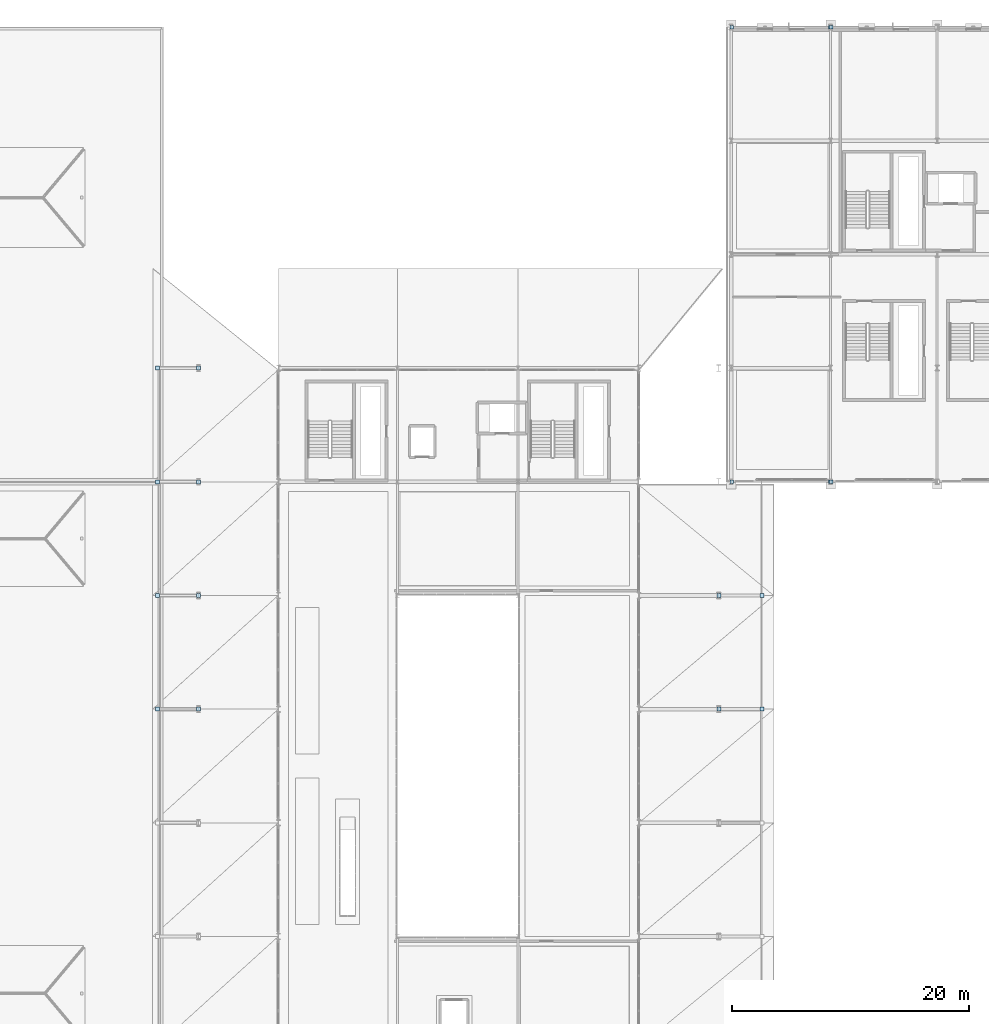
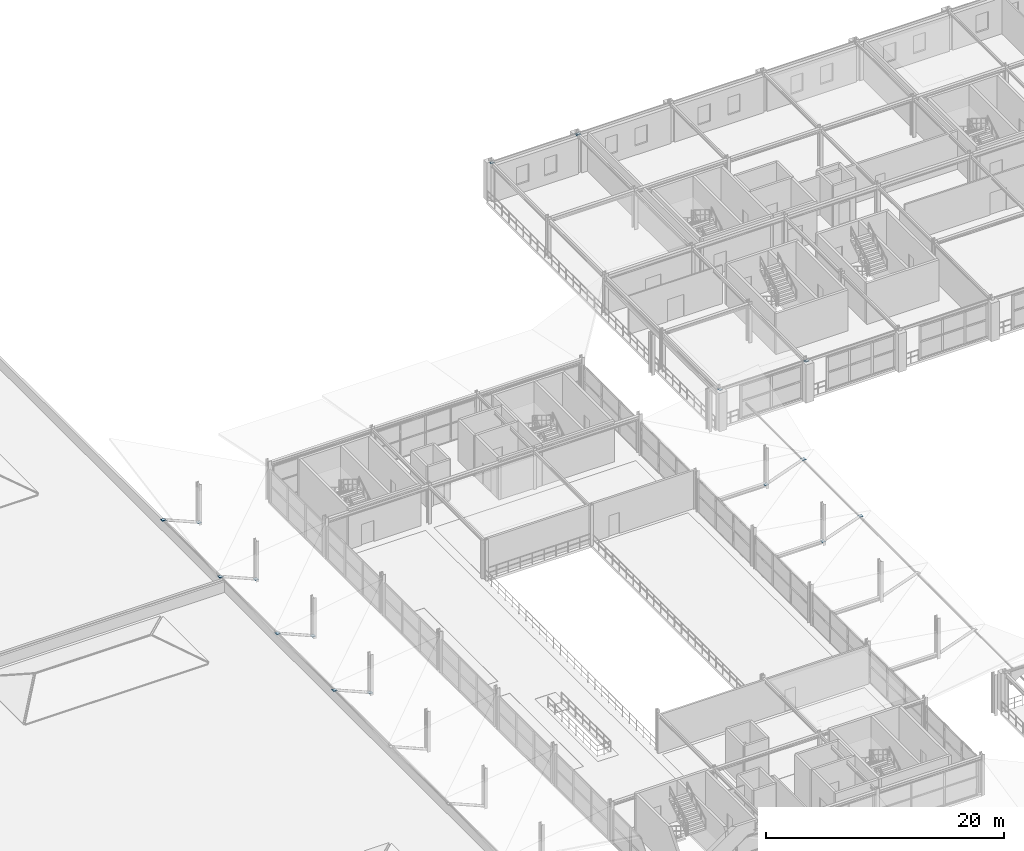
# One storey, part 41 of 81: 18 plates.
"""IFC4 building model written with IfcOpenShell, lengths in metres."""

from ifc_helpers import new_model, si_unit, direction, frame, origin, origin_2d, place, context, subcontext, project, spatial, rectangle, extrude, material, layer, layer_set, type_object, element, save


model = new_model("IFC4")

# Units and contexts
model_context = context("Model", 3, precision=1e-05, world=origin(), true_north=direction((0.0, 1.0)))
body_context = subcontext(model_context, "Body", "Model", "MODEL_VIEW")
ifc_project = project(units=[si_unit("LENGTHUNIT", "METRE"), si_unit("AREAUNIT", "SQUARE_METRE"), si_unit("VOLUMEUNIT", "CUBIC_METRE"), si_unit("PLANEANGLEUNIT", "RADIAN"), si_unit("MASSUNIT", "GRAM", prefix="KILO")], contexts=[model_context])

# Site, building, storey
site_placement = place(None, origin())
site = spatial("IfcSite", under=ifc_project, at=site_placement, CompositionType="ELEMENT")
building_placement = place(site_placement, origin())
building = spatial("IfcBuilding", under=site, at=building_placement, Name="Myrtia Square Station", CompositionType="ELEMENT")
storey_placement = place(building_placement, frame((0.0, 0.0, 10.800048828125)))
storey = spatial("IfcBuildingStorey", under=building, at=storey_placement, Name="L02", CompositionType="ELEMENT", Elevation=10.800048828125)

# Plates
ifc_material = material(Name="Steel S355", Category="steel")
ifc_layer_1 = layer(ifc_material, 0.01611328125, Name="Steel S355")
ifc_layer_set_1 = layer_set([ifc_layer_1], Name="Steel S355")
plate_type_1 = type_object("IfcPlateType", Name="PLT-GUS16", PredefinedType="USERDEFINED", material=ifc_layer_set_1)
for number, where, z_axis, x_axis, name in (
    (1, (117.64990234375, 86.39990234375, 3.82177734375), (0.0, 0.0, 1.0), (1.0, 0.0, 0.0), "Truss node gusset plate SPN-L02-0209-1"),
    (2, (125.949951171875, 86.39990234375, 3.82177734375), (0.0, 0.0, 1.0), (1.0, 0.0, 0.0), "Truss node gusset plate SPN-L02-0209-2"),
    (3, (126.050048828125, 86.39990234375, 3.826904296875), (0.0, 0.0, 1.0), (1.0, 0.0, 0.0), "Truss node gusset plate SPN-L02-0210-1"),
    (4, (117.64990234375, 124.800048828125, 3.82177734375), (0.0, 0.0, 1.0), (1.0, 0.0, 0.0), "Truss node gusset plate SPN-L02-0217-1"),
    (5, (125.949951171875, 124.800048828125, 3.82177734375), (0.0, 0.0, 1.0), (1.0, 0.0, 0.0), "Truss node gusset plate SPN-L02-0217-2"),
    (6, (126.050048828125, 124.800048828125, 3.826904296875), (0.0, 0.0, 1.0), (1.0, 0.0, 0.0), "Truss node gusset plate SPN-L02-0218-1"),
):
    element("IfcPlate", number, at=place(storey_placement, frame(where, z_axis=z_axis, x_axis=x_axis)), inside=storey, type_object=plate_type_1, Name=name, ObjectType="GUSSET PLATE", PredefinedType="USERDEFINED", context=body_context, shape_type="SweptSolid", body=[
        extrude(rectangle(XDim=0.280029296875, YDim=0.280029296875, at=origin_2d()), origin(), (0.0, 0.0, 1.0), 0.01611328125),
    ])
ifc_layer_2 = layer(ifc_material, 0.02001953125, Name="Steel S355")
ifc_layer_set_2 = layer_set([ifc_layer_2], Name="Steel S355")
plate_type_2 = type_object("IfcPlateType", Name="PLT-GUS20", PredefinedType="USERDEFINED", material=ifc_layer_set_2)
for number, where, z_axis, x_axis, name in (
    (7, (72.60009765625, 67.199951171875, 0.139892578125), (0.0, 0.0, 1.0), (-1.0, 0.0, 0.0), "Truss node gusset plate STR-LO-017-1"),
    (8, (69.14990234375, 67.199951171875, 1.60498046875), (0.0, 0.0, 1.0), (-1.0, 0.0, 0.0), "Truss node gusset plate STR-LO-017-2"),
    (9, (116.550048828125, 67.199951171875, 0.2900390625), (0.0, 0.0, 1.0), (1.0, 0.0, 0.0), "Truss node gusset plate STR-LO-018-1"),
    (10, (120.199951171875, 67.199951171875, 1.60498046875), (0.0, 0.0, 1.0), (1.0, 0.0, 0.0), "Truss node gusset plate STR-LO-018-2"),
    (11, (72.60009765625, 76.800048828125, 0.139892578125), (0.0, 0.0, 1.0), (-1.0, 0.0, 0.0), "Truss node gusset plate STR-LO-021-1"),
    (12, (69.14990234375, 76.800048828125, 1.60498046875), (0.0, 0.0, 1.0), (-1.0, 0.0, 0.0), "Truss node gusset plate STR-LO-021-2"),
    (13, (116.550048828125, 76.800048828125, 0.2900390625), (0.0, 0.0, 1.0), (1.0, 0.0, 0.0), "Truss node gusset plate STR-LO-022-1"),
    (14, (120.199951171875, 76.800048828125, 1.60498046875), (0.0, 0.0, 1.0), (1.0, 0.0, 0.0), "Truss node gusset plate STR-LO-022-2"),
    (15, (72.60009765625, 86.39990234375, 0.139892578125), (0.0, 0.0, 1.0), (-1.0, 0.0, 0.0), "Truss node gusset plate STR-LO-025-1"),
    (16, (69.14990234375, 86.39990234375, 1.60498046875), (0.0, 0.0, 1.0), (-1.0, 0.0, 0.0), "Truss node gusset plate STR-LO-025-2"),
    (17, (72.60009765625, 96.0, 0.139892578125), (0.0, 0.0, 1.0), (-1.0, 0.0, 0.0), "Truss node gusset plate STR-LO-028-1"),
    (18, (69.14990234375, 96.0, 1.60498046875), (0.0, 0.0, 1.0), (-1.0, 0.0, 0.0), "Truss node gusset plate STR-LO-028-2"),
):
    element("IfcPlate", number, at=place(storey_placement, frame(where, z_axis=z_axis, x_axis=x_axis)), inside=storey, type_object=plate_type_2, Name=name, ObjectType="GUSSET PLATE", PredefinedType="USERDEFINED", context=body_context, shape_type="SweptSolid", body=[
        extrude(rectangle(XDim=0.340087890625, YDim=0.340087890625, at=origin_2d()), origin(), (0.0, 0.0, 1.0), 0.02001953125),
    ])

save(model, "model.ifc")
